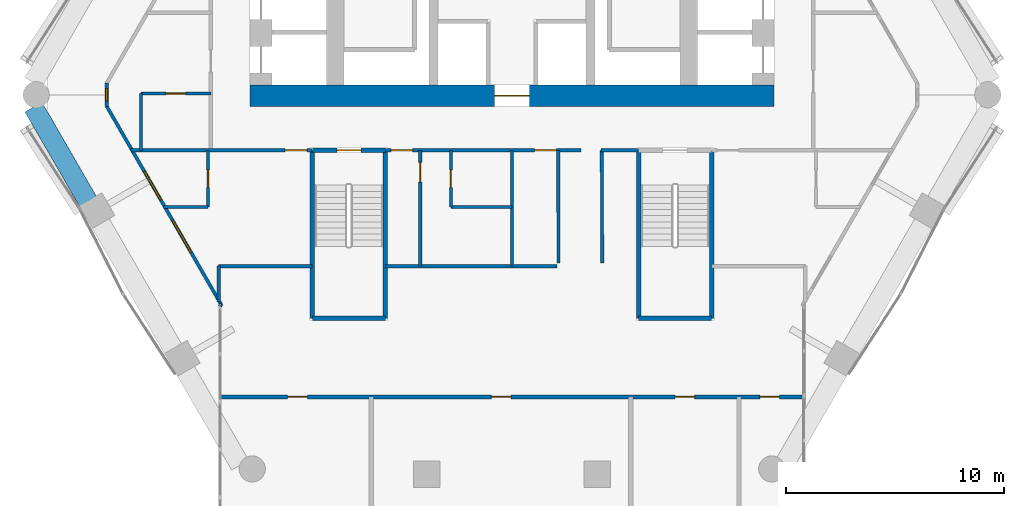
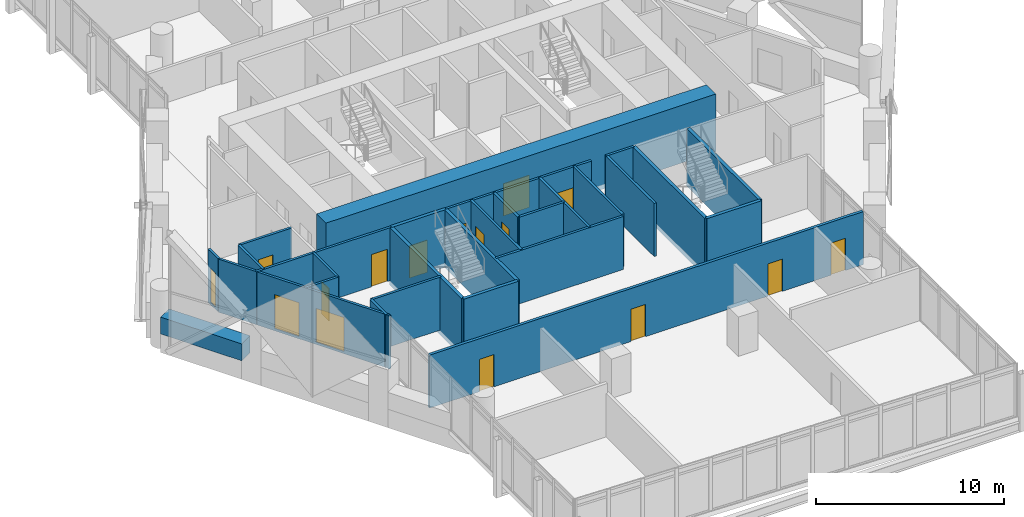
# One storey, part 27 of 36: 29 walls, 13 doors, 3 windows, 16 openings.
"""IFC4 building model written with IfcOpenShell, lengths in metres."""

from ifc_helpers import new_model, si_unit, direction, frame, frame_2d, origin, place, context, subcontext, project, spatial, rectangle, extrude, material, layer, layer_set, type_object, element, fill, save


model = new_model("IFC4")

# Units and contexts
model_context = context("Model", 3, precision=1e-05, world=origin(), true_north=direction((0.0, 1.0)))
body_context = subcontext(model_context, "Body", "Model", "MODEL_VIEW")
ifc_project = project(units=[si_unit("LENGTHUNIT", "METRE"), si_unit("AREAUNIT", "SQUARE_METRE"), si_unit("VOLUMEUNIT", "CUBIC_METRE"), si_unit("PLANEANGLEUNIT", "RADIAN"), si_unit("MASSUNIT", "GRAM", prefix="KILO")], contexts=[model_context])

# Site, building, storey
site_placement = place(None, origin())
site = spatial("IfcSite", under=ifc_project, at=site_placement, CompositionType="ELEMENT")
building_placement = place(site_placement, origin())
building = spatial("IfcBuilding", under=site, at=building_placement, Name="Ostrander Bayou Hotel Tower", CompositionType="ELEMENT")
storey_placement = place(building_placement, frame((0.0, 0.0, 138.5)))
storey = spatial("IfcBuildingStorey", under=building, at=storey_placement, Name="L34", CompositionType="ELEMENT", Elevation=138.5)

# Wall, opening, door
ifc_material_1 = material(Name="Concrete f'c 70 MPa", Category="concrete")
ifc_layer_1 = layer(ifc_material_1, 1.0)
ifc_layer_set_1 = layer_set([ifc_layer_1], Name="CW4 core wall 1000 mm f'c 70 MPa")
wall_type_1 = type_object("IfcWallType", Name="CW4 core wall 1000 mm f'c 70 MPa", PredefinedType="SHEAR", material=ifc_layer_set_1)
wall_1_placement = place(storey_placement, frame((-12.0, -1.199951171875, -0.300048828125), z_axis=(0.0, 0.0, 1.0), x_axis=(1.0, 0.0, 0.0)))
wall_1 = element("IfcWall", 1, at=wall_1_placement, inside=storey, type_object=wall_type_1, Name="CW4 L34 S", PredefinedType="SHEAR", context=body_context, shape_type="SweptSolid", body=[
    extrude(rectangle(XDim=24.0, YDim=1.0, at=frame_2d((12.0, 0.0))), origin(), (0.0, 0.0, 1.0), 3.75),
])
opening_1_placement = place(wall_1_placement, frame((11.199951171875, 0.0, 0.0)))
opening_1 = element("IfcOpeningElement", 2, at=opening_1_placement, cuts=wall_1, Name="Opening T34-001", PredefinedType="OPENING", context=body_context, shape_type="SweptSolid", body=[
    extrude(rectangle(XDim=1.60009765625, YDim=2.10009765625, at=frame_2d((0.800048828125, 1.050048828125))), frame((0.0, 0.5, 0.0), z_axis=(0.0, -1.0, 0.0), x_axis=(1.0, 0.0, 0.0)), (0.0, 0.0, 1.0), 1.0),
])
ifc_material_2 = material(Name="Timber door leaf", Category="wood")
door_type_1 = type_object("IfcDoorType", Name="D13 double door 1600 x 2100 mm, 1 hour", OperationType="SINGLE_SWING_LEFT", PredefinedType="DOOR", material=ifc_material_2)
door_1_placement = place(opening_1_placement, origin())
door_1 = element("IfcDoor", 3, at=door_1_placement, inside=storey, type_object=door_type_1, Name="dr:L34:001", OperationType="DOUBLE_DOOR_SINGLE_SWING", OverallHeight=2.10009765625, OverallWidth=1.60009765625, PredefinedType="DOOR", context=body_context, shape_type="SweptSolid", body=[
    extrude(rectangle(XDim=1.60009765625, YDim=2.10009765625, at=frame_2d((0.800048828125, 1.050048828125))), frame((0.0, 0.02490234375, 0.0), z_axis=(0.0, -1.0, 0.0), x_axis=(1.0, 0.0, 0.0)), (0.0, 0.0, 1.0), 0.050048828125),
])
fill(opening_1, door_1)

# Wall, openings, windows
ifc_material_3 = material(Name="Aluminium framed insulated wall", Category="aluminium")
ifc_layer_2 = layer(ifc_material_3, 0.14990234375)
ifc_layer_set_2 = layer_set([ifc_layer_2], Name="GW1 glass-line wall 150 mm")
wall_type_2 = type_object("IfcWallType", Name="GW1 glass-line wall 150 mm", PredefinedType="SOLIDWALL", material=ifc_layer_set_2)
wall_2_placement = place(storey_placement, frame((-18.568115234375, -1.68896484375, 0.0), z_axis=(0.0, 0.0, 1.0), x_axis=(0.499994317138, -0.866028684761, 0.0)))
wall_2 = element("IfcWall", 4, at=wall_2_placement, inside=storey, type_object=wall_type_2, Name="GW1 L34 SW 1", PredefinedType="SOLIDWALL", context=body_context, shape_type="SweptSolid", body=[
    extrude(rectangle(XDim=10.46826171875, YDim=0.14990234375, at=frame_2d((5.234130859375, 0.0))), origin(), (0.0, 0.0, 1.0), 3.449951171875),
])
opening_2_placement = place(wall_2_placement, frame((3.448486328125, 0.0, 0.14990234375)))
opening_2 = element("IfcOpeningElement", 5, at=opening_2_placement, cuts=wall_2, Name="Opening W12", PredefinedType="OPENING", context=body_context, shape_type="SweptSolid", body=[
    extrude(rectangle(XDim=1.5, YDim=2.199951171875, at=frame_2d((0.75, 1.10009765625))), frame((0.0, 0.074951171875, 0.0), z_axis=(0.0, -1.0, 0.0), x_axis=(1.0, 0.0, 0.0)), (0.0, 0.0, 1.0), 0.14990234375),
])
opening_3_placement = place(wall_2_placement, frame((6.021484375, 0.0, 0.14990234375)))
opening_3 = element("IfcOpeningElement", 6, at=opening_3_placement, cuts=wall_2, Name="Opening W8", PredefinedType="OPENING", context=body_context, shape_type="SweptSolid", body=[
    extrude(rectangle(XDim=1.699951171875, YDim=2.199951171875, at=frame_2d((0.85009765625, 1.10009765625))), frame((0.0, 0.074951171875, 0.0), z_axis=(0.0, -1.0, 0.0), x_axis=(1.0, 0.0, 0.0)), (0.0, 0.0, 1.0), 0.14990234375),
])
ifc_material_4 = material(Name="Aluminium and clear glass", Category="aluminium")
window_type_1 = type_object("IfcWindowType", Name="W12 fixed window 1500 mm, bath bay, zone 2", PartitioningType="SINGLE_PANEL", PredefinedType="WINDOW", material=ifc_material_4)
window_1_placement = place(opening_2_placement, origin())
window_1 = element("IfcWindow", 7, at=window_1_placement, inside=storey, type_object=window_type_1, Name="W12 L34 SW 1", OverallHeight=2.199951171875, OverallWidth=1.5, PartitioningType="SINGLE_PANEL", PredefinedType="WINDOW", context=body_context, shape_type="SweptSolid", body=[
    extrude(rectangle(XDim=1.5, YDim=2.199951171875, at=frame_2d((0.75, 1.10009765625))), frame((0.0, 0.030029296875, 0.0), z_axis=(0.0, -1.0, 0.0), x_axis=(1.0, 0.0, 0.0)), (0.0, 0.0, 1.0), 0.06005859375),
])
fill(opening_2, window_1)
ifc_material_5 = material(Name="Aluminium and clear glass", Category="aluminium")
window_type_2 = type_object("IfcWindowType", Name="W8 fixed window 1700 mm, bar storeys, zone 2", PartitioningType="SINGLE_PANEL", PredefinedType="WINDOW", material=ifc_material_5)
window_2_placement = place(opening_3_placement, origin())
window_2 = element("IfcWindow", 8, at=window_2_placement, inside=storey, type_object=window_type_2, Name="W8 L34 SW 2", OverallHeight=2.199951171875, OverallWidth=1.699951171875, PartitioningType="SINGLE_PANEL", PredefinedType="WINDOW", context=body_context, shape_type="SweptSolid", body=[
    extrude(rectangle(XDim=1.699951171875, YDim=2.199951171875, at=frame_2d((0.85009765625, 1.10009765625))), frame((0.0, 0.030029296875, 0.0), z_axis=(0.0, -1.0, 0.0), x_axis=(1.0, 0.0, 0.0)), (0.0, 0.0, 1.0), 0.06005859375),
])
fill(opening_3, window_2)

# Wall, opening, window
wall_3_placement = place(storey_placement, frame((-18.568115234375, -0.6240234375, 0.0), z_axis=(0.0, 0.0, 1.0), x_axis=(0.0, -1.0, 0.0)))
wall_3 = element("IfcWall", 9, at=wall_3_placement, inside=storey, type_object=wall_type_2, Name="GW1 L34 corner 2", PredefinedType="SOLIDWALL", context=body_context, shape_type="SweptSolid", body=[
    extrude(rectangle(XDim=1.06494140625, YDim=0.14990234375, at=frame_2d((0.532470703125, 0.0))), origin(), (0.0, 0.0, 1.0), 3.449951171875),
])
opening_4_placement = place(wall_3_placement, frame((0.257568359375, 0.0, 0.14990234375)))
opening_4 = element("IfcOpeningElement", 10, at=opening_4_placement, cuts=wall_3, Name="Opening W19", PredefinedType="OPENING", context=body_context, shape_type="SweptSolid", body=[
    extrude(rectangle(XDim=0.550048828125, YDim=2.199951171875, at=frame_2d((0.27490234375, 1.10009765625))), frame((0.0, 0.074951171875, 0.0), z_axis=(0.0, -1.0, 0.0), x_axis=(1.0, 0.0, 0.0)), (0.0, 0.0, 1.0), 0.14990234375),
])
ifc_material_6 = material(Name="Aluminium and clear glass", Category="aluminium")
window_type_3 = type_object("IfcWindowType", Name="W19 corner window 550 mm", PartitioningType="SINGLE_PANEL", PredefinedType="WINDOW", material=ifc_material_6)
window_3_placement = place(opening_4_placement, origin())
window_3 = element("IfcWindow", 11, at=window_3_placement, inside=storey, type_object=window_type_3, Name="W19 L34 corner 2", OverallHeight=2.199951171875, OverallWidth=0.550048828125, PartitioningType="SINGLE_PANEL", PredefinedType="WINDOW", context=body_context, shape_type="SweptSolid", body=[
    extrude(rectangle(XDim=0.550048828125, YDim=2.199951171875, at=frame_2d((0.27490234375, 1.10009765625))), frame((0.0, 0.030029296875, 0.0), z_axis=(0.0, -1.0, 0.0), x_axis=(1.0, 0.0, 0.0)), (0.0, 0.0, 1.0), 0.06005859375),
])
fill(opening_4, window_3)

# Walls
wall_4_placement = place(storey_placement, frame((-13.333984375, -10.7548828125, 0.0), z_axis=(0.0, 0.0, 1.0), x_axis=(-0.337751931921, -0.941235163221, 0.0)))
element("IfcWall", 12, at=wall_4_placement, inside=storey, type_object=wall_type_2, Name="GW1 L34 bar joint 1", PredefinedType="SOLIDWALL", context=body_context, shape_type="SweptSolid", body=[
    extrude(rectangle(XDim=0.098388671875, YDim=0.14990234375, at=frame_2d((0.04931640625, 0.0))), origin(), (0.0, 0.0, 1.0), 3.449951171875),
])
ifc_material_7 = material(Name="Limestone masonry", Category="masonry")
ifc_layer_3 = layer(ifc_material_7, 0.89990234375)
ifc_layer_set_3 = layer_set([ifc_layer_3], Name="PA2 limestone parapet 900 mm")
wall_type_3 = type_object("IfcWallType", Name="PA2 limestone parapet 900 mm", PredefinedType="PARAPET", material=ifc_layer_set_3)
wall_5_placement = place(storey_placement, frame((-21.927734375, -1.72021484375, 0.0), z_axis=(0.0, 0.0, 1.0), x_axis=(0.500011423449, -0.866018808352, 0.0)))
element("IfcWall", 13, at=wall_5_placement, inside=storey, type_object=wall_type_3, Name="PA2 L34 SW-1", PredefinedType="PARAPET", context=body_context, shape_type="SweptSolid", body=[
    extrude(rectangle(XDim=4.99755859375, YDim=0.89990234375, at=frame_2d((2.498779296875, 0.0))), origin(), (0.0, 0.0, 1.0), 1.10009765625),
])

# Wall, openings, doors
ifc_material_8 = material(Name="Gypsum board partition", Category="finish")
ifc_layer_4 = layer(ifc_material_8, 0.175048828125)
ifc_layer_set_4 = layer_set([ifc_layer_4], Name="PT4 corridor wall 175 mm, 1 hour")
wall_type_4 = type_object("IfcWallType", Name="PT4 corridor wall 175 mm, 1 hour", PredefinedType="PARTITIONING", material=ifc_layer_set_4)
wall_6_placement = place(storey_placement, frame((-13.34814453125, -15.0, 0.0), z_axis=(0.0, 0.0, 1.0), x_axis=(1.0, 0.0, 0.0)))
wall_6 = element("IfcWall", 14, at=wall_6_placement, inside=storey, type_object=wall_type_4, Name="sw:L34:500", PredefinedType="PARTITIONING", context=body_context, shape_type="SweptSolid", body=[
    extrude(rectangle(XDim=26.6962890625, YDim=0.175048828125, at=frame_2d((13.34814453125, 0.0))), origin(), (0.0, 0.0, 1.0), 3.449951171875),
])
opening_5_placement = place(wall_6_placement, frame((3.071044921875, 0.0, 0.0)))
opening_5 = element("IfcOpeningElement", 15, at=opening_5_placement, cuts=wall_6, Name="Opening T34-1200", PredefinedType="OPENING", context=body_context, shape_type="SweptSolid", body=[
    extrude(rectangle(XDim=0.89990234375, YDim=2.10009765625, at=frame_2d((0.449951171875, 1.050048828125))), frame((0.0, 0.08740234375, 0.0), z_axis=(0.0, -1.0, 0.0), x_axis=(1.0, 0.0, 0.0)), (0.0, 0.0, 1.0), 0.175048828125),
])
opening_6_placement = place(wall_6_placement, frame((20.8203125, 0.0, 0.0)))
opening_6 = element("IfcOpeningElement", 16, at=opening_6_placement, cuts=wall_6, Name="Opening T34-1203", PredefinedType="OPENING", context=body_context, shape_type="SweptSolid", body=[
    extrude(rectangle(XDim=0.89990234375, YDim=2.10009765625, at=frame_2d((0.449951171875, 1.050048828125))), frame((0.0, 0.08740234375, 0.0), z_axis=(0.0, -1.0, 0.0), x_axis=(1.0, 0.0, 0.0)), (0.0, 0.0, 1.0), 0.175048828125),
])
opening_7_placement = place(wall_6_placement, frame((24.705322265625, 0.0, 0.0)))
opening_7 = element("IfcOpeningElement", 17, at=opening_7_placement, cuts=wall_6, Name="Opening T34-1204", PredefinedType="OPENING", context=body_context, shape_type="SweptSolid", body=[
    extrude(rectangle(XDim=0.89990234375, YDim=2.10009765625, at=frame_2d((0.449951171875, 1.050048828125))), frame((0.0, 0.08740234375, 0.0), z_axis=(0.0, -1.0, 0.0), x_axis=(1.0, 0.0, 0.0)), (0.0, 0.0, 1.0), 0.175048828125),
])
opening_8_placement = place(wall_6_placement, frame((12.398193359375, 0.0, 0.0)))
opening_8 = element("IfcOpeningElement", 18, at=opening_8_placement, cuts=wall_6, Name="Opening T34-1205", PredefinedType="OPENING", context=body_context, shape_type="SweptSolid", body=[
    extrude(rectangle(XDim=0.89990234375, YDim=2.10009765625, at=frame_2d((0.449951171875, 1.050048828125))), frame((0.0, 0.08740234375, 0.0), z_axis=(0.0, -1.0, 0.0), x_axis=(1.0, 0.0, 0.0)), (0.0, 0.0, 1.0), 0.175048828125),
])
ifc_material_9 = material(Name="Timber door leaf", Category="wood")
door_type_2 = type_object("IfcDoorType", Name="D8 room door 900 x 2100 mm", OperationType="SINGLE_SWING_LEFT", PredefinedType="DOOR", material=ifc_material_9)
door_2_placement = place(opening_5_placement, origin())
door_2 = element("IfcDoor", 19, at=door_2_placement, inside=storey, type_object=door_type_2, Name="dr:L34:1200", OperationType="SINGLE_SWING_RIGHT", OverallHeight=2.10009765625, OverallWidth=0.89990234375, PredefinedType="DOOR", context=body_context, shape_type="SweptSolid", body=[
    extrude(rectangle(XDim=0.89990234375, YDim=2.10009765625, at=frame_2d((0.449951171875, 1.050048828125))), frame((0.0, 0.02490234375, 0.0), z_axis=(0.0, -1.0, 0.0), x_axis=(1.0, 0.0, 0.0)), (0.0, 0.0, 1.0), 0.050048828125),
])
fill(opening_5, door_2)
door_3_placement = place(opening_6_placement, origin())
door_3 = element("IfcDoor", 20, at=door_3_placement, inside=storey, type_object=door_type_2, Name="dr:L34:1203", OperationType="SINGLE_SWING_LEFT", OverallHeight=2.10009765625, OverallWidth=0.89990234375, PredefinedType="DOOR", context=body_context, shape_type="SweptSolid", body=[
    extrude(rectangle(XDim=0.89990234375, YDim=2.10009765625, at=frame_2d((0.449951171875, 1.050048828125))), frame((0.0, 0.02490234375, 0.0), z_axis=(0.0, -1.0, 0.0), x_axis=(1.0, 0.0, 0.0)), (0.0, 0.0, 1.0), 0.050048828125),
])
fill(opening_6, door_3)
door_4_placement = place(opening_7_placement, origin())
door_4 = element("IfcDoor", 21, at=door_4_placement, inside=storey, type_object=door_type_2, Name="dr:L34:1204", OperationType="SINGLE_SWING_RIGHT", OverallHeight=2.10009765625, OverallWidth=0.89990234375, PredefinedType="DOOR", context=body_context, shape_type="SweptSolid", body=[
    extrude(rectangle(XDim=0.89990234375, YDim=2.10009765625, at=frame_2d((0.449951171875, 1.050048828125))), frame((0.0, 0.02490234375, 0.0), z_axis=(0.0, -1.0, 0.0), x_axis=(1.0, 0.0, 0.0)), (0.0, 0.0, 1.0), 0.050048828125),
])
fill(opening_7, door_4)
door_5_placement = place(opening_8_placement, origin())
door_5 = element("IfcDoor", 22, at=door_5_placement, inside=storey, type_object=door_type_2, Name="dr:L34:1205", OperationType="SINGLE_SWING_LEFT", OverallHeight=2.10009765625, OverallWidth=0.89990234375, PredefinedType="DOOR", context=body_context, shape_type="SweptSolid", body=[
    extrude(rectangle(XDim=0.89990234375, YDim=2.10009765625, at=frame_2d((0.449951171875, 1.050048828125))), frame((0.0, 0.02490234375, 0.0), z_axis=(0.0, -1.0, 0.0), x_axis=(1.0, 0.0, 0.0)), (0.0, 0.0, 1.0), 0.050048828125),
])
fill(opening_8, door_5)

# Walls
ifc_material_10 = material(Name="Gypsum board partition", Category="finish")
ifc_layer_5 = layer(ifc_material_10, 0.14990234375)
ifc_layer_set_5 = layer_set([ifc_layer_5], Name="PT8 service band wall 150 mm, 1 hour")
wall_type_5 = type_object("IfcWallType", Name="PT8 service band wall 150 mm, 1 hour", PredefinedType="PARTITIONING", material=ifc_layer_set_5)
wall_7_placement = place(storey_placement, frame((-13.43994140625, -9.010009765625, 0.0), z_axis=(0.0, 0.0, 1.0), x_axis=(1.0, 0.0, 0.0)))
element("IfcWall", 23, at=wall_7_placement, inside=storey, type_object=wall_type_5, Name="gw:L34:001", PredefinedType="PARTITIONING", context=body_context, shape_type="SweptSolid", body=[
    extrude(rectangle(XDim=4.280029296875, YDim=0.14990234375, at=frame_2d((2.14013671875, 0.0))), origin(), (0.0, 0.0, 1.0), 3.449951171875),
])
wall_8_placement = place(storey_placement, frame((-5.7900390625, -9.010009765625, 0.0), z_axis=(0.0, 0.0, 1.0), x_axis=(1.0, 0.0, 0.0)))
element("IfcWall", 24, at=wall_8_placement, inside=storey, type_object=wall_type_5, Name="gw:L34:002", PredefinedType="PARTITIONING", context=body_context, shape_type="SweptSolid", body=[
    extrude(rectangle(XDim=7.844970703125, YDim=0.14990234375, at=frame_2d((3.92236328125, 0.0))), origin(), (0.0, 0.0, 1.0), 3.449951171875),
])
wall_9_placement = place(storey_placement, frame((-15.9580078125, -6.300048828125, 0.0), z_axis=(0.0, 0.0, 1.0), x_axis=(1.0, 0.0, 0.0)))
element("IfcWall", 25, at=wall_9_placement, inside=storey, type_object=wall_type_5, Name="gw:L34:004", PredefinedType="PARTITIONING", context=body_context, shape_type="SweptSolid", body=[
    extrude(rectangle(XDim=2.028076171875, YDim=0.14990234375, at=frame_2d((1.01416015625, 0.0))), origin(), (0.0, 0.0, 1.0), 3.449951171875),
])
wall_10_placement = place(storey_placement, frame((-2.800048828125, -6.300048828125, 0.0), z_axis=(0.0, 0.0, 1.0), x_axis=(1.0, 0.0, 0.0)))
element("IfcWall", 26, at=wall_10_placement, inside=storey, type_object=wall_type_5, Name="gw:L34:005", PredefinedType="PARTITIONING", context=body_context, shape_type="SweptSolid", body=[
    extrude(rectangle(XDim=2.800048828125, YDim=0.14990234375, at=frame_2d((1.39990234375, 0.0))), origin(), (0.0, 0.0, 1.0), 3.449951171875),
])

# Wall, opening, door
wall_11_placement = place(storey_placement, frame((-17.458984375, -3.699951171875, 0.0), z_axis=(0.0, 0.0, 1.0), x_axis=(1.0, 0.0, 0.0)))
wall_11 = element("IfcWall", 27, at=wall_11_placement, inside=storey, type_object=wall_type_5, Name="gw:L34:007", PredefinedType="PARTITIONING", context=body_context, shape_type="SweptSolid", body=[
    extrude(rectangle(XDim=8.299072265625, YDim=0.14990234375, at=frame_2d((4.1494140625, 0.0))), origin(), (0.0, 0.0, 1.0), 3.449951171875),
])
opening_9_placement = place(wall_11_placement, frame((7.05908203125, 0.0, 0.0)))
opening_9 = element("IfcOpeningElement", 28, at=opening_9_placement, cuts=wall_11, Name="Opening T34-403", PredefinedType="OPENING", context=body_context, shape_type="SweptSolid", body=[
    extrude(rectangle(XDim=1.0, YDim=2.10009765625, at=frame_2d((0.5, 1.050048828125))), frame((0.0, 0.074951171875, 0.0), z_axis=(0.0, -1.0, 0.0), x_axis=(1.0, 0.0, 0.0)), (0.0, 0.0, 1.0), 0.14990234375),
])
ifc_material_11 = material(Name="Timber door leaf", Category="wood")
door_type_3 = type_object("IfcDoorType", Name="D1 guest room door 1000 x 2100 mm, 30 minute", OperationType="SINGLE_SWING_LEFT", PredefinedType="DOOR", material=ifc_material_11)
door_6_placement = place(opening_9_placement, origin())
door_6 = element("IfcDoor", 29, at=door_6_placement, inside=storey, type_object=door_type_3, Name="dr:L34:403", OperationType="SINGLE_SWING_RIGHT", OverallHeight=2.10009765625, OverallWidth=1.0, PredefinedType="DOOR", context=body_context, shape_type="SweptSolid", body=[
    extrude(rectangle(XDim=1.0, YDim=2.10009765625, at=frame_2d((0.5, 1.050048828125))), frame((0.0, 0.02490234375, 0.0), z_axis=(0.0, -1.0, 0.0), x_axis=(1.0, 0.0, 0.0)), (0.0, 0.0, 1.0), 0.050048828125),
])
fill(opening_9, door_6)

# Wall, openings, doors
wall_12_placement = place(storey_placement, frame((-5.7900390625, -3.699951171875, 0.0), z_axis=(0.0, 0.0, 1.0), x_axis=(1.0, 0.0, 0.0)))
wall_12 = element("IfcWall", 30, at=wall_12_placement, inside=storey, type_object=wall_type_5, Name="gw:L34:008", PredefinedType="PARTITIONING", context=body_context, shape_type="SweptSolid", body=[
    extrude(rectangle(XDim=8.945068359375, YDim=0.14990234375, at=frame_2d((4.47265625, 0.0))), origin(), (0.0, 0.0, 1.0), 3.449951171875),
])
opening_10_placement = place(wall_12_placement, frame((0.239990234375, 0.0, 0.0)))
opening_10 = element("IfcOpeningElement", 31, at=opening_10_placement, cuts=wall_12, Name="Opening T34-400", PredefinedType="OPENING", context=body_context, shape_type="SweptSolid", body=[
    extrude(rectangle(XDim=1.0, YDim=2.10009765625, at=frame_2d((0.5, 1.050048828125))), frame((0.0, 0.074951171875, 0.0), z_axis=(0.0, -1.0, 0.0), x_axis=(1.0, 0.0, 0.0)), (0.0, 0.0, 1.0), 0.14990234375),
])
opening_11_placement = place(wall_12_placement, frame((6.826904296875, 0.0, 0.0)))
opening_11 = element("IfcOpeningElement", 32, at=opening_11_placement, cuts=wall_12, Name="Opening T34-405", PredefinedType="OPENING", context=body_context, shape_type="SweptSolid", body=[
    extrude(rectangle(XDim=1.0, YDim=2.10009765625, at=frame_2d((0.5, 1.050048828125))), frame((0.0, 0.074951171875, 0.0), z_axis=(0.0, -1.0, 0.0), x_axis=(1.0, 0.0, 0.0)), (0.0, 0.0, 1.0), 0.14990234375),
])
door_7_placement = place(opening_10_placement, origin())
door_7 = element("IfcDoor", 33, at=door_7_placement, inside=storey, type_object=door_type_3, Name="dr:L34:400", OperationType="SINGLE_SWING_LEFT", OverallHeight=2.10009765625, OverallWidth=1.0, PredefinedType="DOOR", context=body_context, shape_type="SweptSolid", body=[
    extrude(rectangle(XDim=1.0, YDim=2.10009765625, at=frame_2d((0.5, 1.050048828125))), frame((0.0, 0.02490234375, 0.0), z_axis=(0.0, -1.0, 0.0), x_axis=(1.0, 0.0, 0.0)), (0.0, 0.0, 1.0), 0.050048828125),
])
fill(opening_10, door_7)
ifc_material_12 = material(Name="Timber door leaf", Category="wood")
door_type_4 = type_object("IfcDoorType", Name="D9 service door 1000 x 2100 mm, 30 minute", OperationType="SINGLE_SWING_LEFT", PredefinedType="DOOR", material=ifc_material_12)
door_8_placement = place(opening_11_placement, origin())
door_8 = element("IfcDoor", 34, at=door_8_placement, inside=storey, type_object=door_type_4, Name="dr:L34:405", OperationType="SINGLE_SWING_LEFT", OverallHeight=2.10009765625, OverallWidth=1.0, PredefinedType="DOOR", context=body_context, shape_type="SweptSolid", body=[
    extrude(rectangle(XDim=1.0, YDim=2.10009765625, at=frame_2d((0.5, 1.050048828125))), frame((0.0, 0.02490234375, 0.0), z_axis=(0.0, -1.0, 0.0), x_axis=(1.0, 0.0, 0.0)), (0.0, 0.0, 1.0), 0.050048828125),
])
fill(opening_11, door_8)

# Wall
wall_13_placement = place(storey_placement, frame((4.074951171875, -3.699951171875, 0.0), z_axis=(0.0, 0.0, 1.0), x_axis=(1.0, 0.0, 0.0)))
element("IfcWall", 35, at=wall_13_placement, inside=storey, type_object=wall_type_5, Name="gw:L34:009", PredefinedType="PARTITIONING", context=body_context, shape_type="SweptSolid", body=[
    extrude(rectangle(XDim=1.715087890625, YDim=0.14990234375, at=frame_2d((0.857421875, 0.0))), origin(), (0.0, 0.0, 1.0), 3.449951171875),
])

# Wall, opening, door
wall_14_placement = place(storey_placement, frame((-17.0, -1.10009765625, 0.0), z_axis=(0.0, 0.0, 1.0), x_axis=(1.0, 0.0, 0.0)))
wall_14 = element("IfcWall", 36, at=wall_14_placement, inside=storey, type_object=wall_type_5, Name="gw:L34:011", PredefinedType="PARTITIONING", context=body_context, shape_type="SweptSolid", body=[
    extrude(rectangle(XDim=3.199951171875, YDim=0.14990234375, at=frame_2d((1.60009765625, 0.0))), origin(), (0.0, 0.0, 1.0), 3.449951171875),
])
opening_12_placement = place(wall_14_placement, frame((1.14990234375, 0.0, 0.0)))
opening_12 = element("IfcOpeningElement", 37, at=opening_12_placement, cuts=wall_14, Name="Opening T34-409", PredefinedType="OPENING", context=body_context, shape_type="SweptSolid", body=[
    extrude(rectangle(XDim=0.89990234375, YDim=2.10009765625, at=frame_2d((0.449951171875, 1.050048828125))), frame((0.0, 0.074951171875, 0.0), z_axis=(0.0, -1.0, 0.0), x_axis=(1.0, 0.0, 0.0)), (0.0, 0.0, 1.0), 0.14990234375),
])
door_9_placement = place(opening_12_placement, origin())
door_9 = element("IfcDoor", 38, at=door_9_placement, inside=storey, type_object=door_type_2, Name="dr:L34:409", OperationType="SINGLE_SWING_RIGHT", OverallHeight=2.10009765625, OverallWidth=0.89990234375, PredefinedType="DOOR", context=body_context, shape_type="SweptSolid", body=[
    extrude(rectangle(XDim=0.89990234375, YDim=2.10009765625, at=frame_2d((0.449951171875, 1.050048828125))), frame((0.0, 0.02490234375, 0.0), z_axis=(0.0, -1.0, 0.0), x_axis=(1.0, 0.0, 0.0)), (0.0, 0.0, 1.0), 0.050048828125),
])
fill(opening_12, door_9)

# Wall
wall_15_placement = place(storey_placement, frame((0.0, -9.010009765625, 0.0), z_axis=(0.0, 0.0, 1.0), x_axis=(0.0, 1.0, 0.0)))
element("IfcWall", 39, at=wall_15_placement, inside=storey, type_object=wall_type_5, Name="gw:L34:020", PredefinedType="PARTITIONING", context=body_context, shape_type="SweptSolid", body=[
    extrude(rectangle(XDim=5.31005859375, YDim=0.14990234375, at=frame_2d((2.655029296875, 0.0))), origin(), (0.0, 0.0, 1.0), 3.449951171875),
])

# Wall, opening, door
wall_16_placement = place(storey_placement, frame((-2.800048828125, -6.300048828125, 0.0), z_axis=(0.0, 0.0, 1.0), x_axis=(0.0, 1.0, 0.0)))
wall_16 = element("IfcWall", 40, at=wall_16_placement, inside=storey, type_object=wall_type_5, Name="gw:L34:021", PredefinedType="PARTITIONING", context=body_context, shape_type="SweptSolid", body=[
    extrude(rectangle(XDim=2.60009765625, YDim=0.14990234375, at=frame_2d((1.300048828125, 0.0))), origin(), (0.0, 0.0, 1.0), 3.449951171875),
])
opening_13_placement = place(wall_16_placement, frame((0.89990234375, 0.0, 0.0)))
opening_13 = element("IfcOpeningElement", 41, at=opening_13_placement, cuts=wall_16, Name="Opening T34-402", PredefinedType="OPENING", context=body_context, shape_type="SweptSolid", body=[
    extrude(rectangle(XDim=0.800048828125, YDim=2.10009765625, at=frame_2d((0.39990234375, 1.050048828125))), frame((0.0, 0.074951171875, 0.0), z_axis=(0.0, -1.0, 0.0), x_axis=(1.0, 0.0, 0.0)), (0.0, 0.0, 1.0), 0.14990234375),
])
ifc_material_13 = material(Name="Timber door leaf", Category="wood")
door_type_5 = type_object("IfcDoorType", Name="D2 bathroom door 800 x 2100 mm", OperationType="SINGLE_SWING_LEFT", PredefinedType="DOOR", material=ifc_material_13)
door_10_placement = place(opening_13_placement, origin())
door_10 = element("IfcDoor", 42, at=door_10_placement, inside=storey, type_object=door_type_5, Name="dr:L34:402", OperationType="SINGLE_SWING_RIGHT", OverallHeight=2.10009765625, OverallWidth=0.800048828125, PredefinedType="DOOR", context=body_context, shape_type="SweptSolid", body=[
    extrude(rectangle(XDim=0.800048828125, YDim=2.10009765625, at=frame_2d((0.39990234375, 1.050048828125))), frame((0.0, 0.02490234375, 0.0), z_axis=(0.0, -1.0, 0.0), x_axis=(1.0, 0.0, 0.0)), (0.0, 0.0, 1.0), 0.050048828125),
])
fill(opening_13, door_10)

wall_17_placement = place(storey_placement, frame((-4.199951171875, -9.010009765625, 0.0), z_axis=(0.0, 0.0, 1.0), x_axis=(0.0, 1.0, 0.0)))
wall_17 = element("IfcWall", 43, at=wall_17_placement, inside=storey, type_object=wall_type_5, Name="gw:L34:022", PredefinedType="PARTITIONING", context=body_context, shape_type="SweptSolid", body=[
    extrude(rectangle(XDim=5.31005859375, YDim=0.14990234375, at=frame_2d((2.655029296875, 0.0))), origin(), (0.0, 0.0, 1.0), 3.449951171875),
])
opening_14_placement = place(wall_17_placement, frame((3.860107421875, 0.0, 0.0)))
opening_14 = element("IfcOpeningElement", 44, at=opening_14_placement, cuts=wall_17, Name="Opening T34-401", PredefinedType="OPENING", context=body_context, shape_type="SweptSolid", body=[
    extrude(rectangle(XDim=0.89990234375, YDim=2.10009765625, at=frame_2d((0.449951171875, 1.050048828125))), frame((0.0, 0.074951171875, 0.0), z_axis=(0.0, -1.0, 0.0), x_axis=(1.0, 0.0, 0.0)), (0.0, 0.0, 1.0), 0.14990234375),
])
door_11_placement = place(opening_14_placement, origin())
door_11 = element("IfcDoor", 45, at=door_11_placement, inside=storey, type_object=door_type_2, Name="dr:L34:401", OperationType="SINGLE_SWING_RIGHT", OverallHeight=2.10009765625, OverallWidth=0.89990234375, PredefinedType="DOOR", context=body_context, shape_type="SweptSolid", body=[
    extrude(rectangle(XDim=0.89990234375, YDim=2.10009765625, at=frame_2d((0.449951171875, 1.050048828125))), frame((0.0, 0.02490234375, 0.0), z_axis=(0.0, -1.0, 0.0), x_axis=(1.0, 0.0, 0.0)), (0.0, 0.0, 1.0), 0.050048828125),
])
fill(opening_14, door_11)

# Wall
wall_18_placement = place(storey_placement, frame((-13.43994140625, -10.660888671875, 0.0), z_axis=(0.0, 0.0, 1.0), x_axis=(0.0, 1.0, 0.0)))
element("IfcWall", 46, at=wall_18_placement, inside=storey, type_object=wall_type_5, Name="gw:L34:023", PredefinedType="PARTITIONING", context=body_context, shape_type="SweptSolid", body=[
    extrude(rectangle(XDim=1.65087890625, YDim=0.14990234375, at=frame_2d((0.825439453125, 0.0))), origin(), (0.0, 0.0, 1.0), 3.449951171875),
])

# Wall, opening, door
wall_19_placement = place(storey_placement, frame((-13.929931640625, -6.300048828125, 0.0), z_axis=(0.0, 0.0, 1.0), x_axis=(0.0, 1.0, 0.0)))
wall_19 = element("IfcWall", 47, at=wall_19_placement, inside=storey, type_object=wall_type_5, Name="gw:L34:026", PredefinedType="PARTITIONING", context=body_context, shape_type="SweptSolid", body=[
    extrude(rectangle(XDim=2.60009765625, YDim=0.14990234375, at=frame_2d((1.300048828125, 0.0))), origin(), (0.0, 0.0, 1.0), 3.449951171875),
])
opening_15_placement = place(wall_19_placement, frame((0.89990234375, 0.0, 0.0)))
opening_15 = element("IfcOpeningElement", 48, at=opening_15_placement, cuts=wall_19, Name="Opening T34-404", PredefinedType="OPENING", context=body_context, shape_type="SweptSolid", body=[
    extrude(rectangle(XDim=0.800048828125, YDim=2.10009765625, at=frame_2d((0.39990234375, 1.050048828125))), frame((0.0, 0.074951171875, 0.0), z_axis=(0.0, -1.0, 0.0), x_axis=(1.0, 0.0, 0.0)), (0.0, 0.0, 1.0), 0.14990234375),
])
door_12_placement = place(opening_15_placement, origin())
door_12 = element("IfcDoor", 49, at=door_12_placement, inside=storey, type_object=door_type_5, Name="dr:L34:404", OperationType="SINGLE_SWING_RIGHT", OverallHeight=2.10009765625, OverallWidth=0.800048828125, PredefinedType="DOOR", context=body_context, shape_type="SweptSolid", body=[
    extrude(rectangle(XDim=0.800048828125, YDim=2.10009765625, at=frame_2d((0.39990234375, 1.050048828125))), frame((0.0, 0.02490234375, 0.0), z_axis=(0.0, -1.0, 0.0), x_axis=(1.0, 0.0, 0.0)), (0.0, 0.0, 1.0), 0.050048828125),
])
fill(opening_15, door_12)

# Walls
wall_20_placement = place(storey_placement, frame((-17.0, -3.699951171875, 0.0), z_axis=(0.0, 0.0, 1.0), x_axis=(0.0, 1.0, 0.0)))
element("IfcWall", 50, at=wall_20_placement, inside=storey, type_object=wall_type_5, Name="gw:L34:027", PredefinedType="PARTITIONING", context=body_context, shape_type="SweptSolid", body=[
    extrude(rectangle(XDim=2.599853515625, YDim=0.14990234375, at=frame_2d((1.2998046875, 0.0))), origin(), (0.0, 0.0, 1.0), 3.449951171875),
])
wall_21_placement = place(storey_placement, frame((4.134033203125, -8.8701171875, 0.0), z_axis=(0.0, 0.0, 1.0), x_axis=(-0.003683216269, 0.999993216936, 0.0)))
element("IfcWall", 51, at=wall_21_placement, inside=storey, type_object=wall_type_5, Name="gw:L34:028", PredefinedType="PARTITIONING", context=body_context, shape_type="SweptSolid", body=[
    extrude(rectangle(XDim=5.170166015625, YDim=0.14990234375, at=frame_2d((2.5849609375, 0.0))), origin(), (0.0, 0.0, 1.0), 3.449951171875),
])
wall_22_placement = place(storey_placement, frame((2.134033203125, -8.8701171875, 0.0), z_axis=(0.0, 0.0, 1.0), x_axis=(-0.003686872276, 0.999993203463, 0.0)))
element("IfcWall", 52, at=wall_22_placement, inside=storey, type_object=wall_type_5, Name="gw:L34:029", PredefinedType="PARTITIONING", context=body_context, shape_type="SweptSolid", body=[
    extrude(rectangle(XDim=5.1650390625, YDim=0.14990234375, at=frame_2d((2.58251953125, 0.0))), origin(), (0.0, 0.0, 1.0), 3.449951171875),
])
ifc_material_14 = material(Name="Concrete f'c 45 MPa", Category="concrete")
ifc_layer_6 = layer(ifc_material_14, 0.199951171875)
ifc_layer_set_6 = layer_set([ifc_layer_6], Name="SW5 stair enclosure wall 200 mm f'c 45 MPa")
wall_type_6 = type_object("IfcWallType", Name="SW5 stair enclosure wall 200 mm f'c 45 MPa", PredefinedType="SOLIDWALL", material=ifc_layer_set_6)
for number, where, z_axis, x_axis, name in (
    (53, (5.800048828125, -3.699951171875, -0.300048828125), (0.0, 0.0, 1.0), (0.0, -1.0, 0.0), "cs:L34:014"),
    (54, (9.14990234375, -3.699951171875, -0.300048828125), (0.0, 0.0, 1.0), (0.0, -1.0, 0.0), "cs:L34:015"),
):
    element("IfcWall", number, at=place(storey_placement, frame(where, z_axis=z_axis, x_axis=x_axis)), inside=storey, type_object=wall_type_6, Name=name, PredefinedType="SOLIDWALL", context=body_context, shape_type="SweptSolid", body=[
        extrude(rectangle(XDim=7.699951171875, YDim=0.199951171875, at=frame_2d((3.85009765625, 0.0))), origin(), (0.0, 0.0, 1.0), 3.75),
    ])
wall_23_placement = place(storey_placement, frame((5.800048828125, -11.39990234375, -0.300048828125), z_axis=(0.0, 0.0, 1.0), x_axis=(1.0, 0.0, 0.0)))
element("IfcWall", 55, at=wall_23_placement, inside=storey, type_object=wall_type_6, Name="cs:L34:016", PredefinedType="SOLIDWALL", context=body_context, shape_type="SweptSolid", body=[
    extrude(rectangle(XDim=3.349853515625, YDim=0.199951171875, at=frame_2d((1.6748046875, 0.0))), origin(), (0.0, 0.0, 1.0), 3.75),
])

# Wall, opening, door
wall_24_placement = place(storey_placement, frame((-9.14990234375, -3.699951171875, -0.300048828125), z_axis=(0.0, 0.0, 1.0), x_axis=(1.0, 0.0, 0.0)))
wall_24 = element("IfcWall", 56, at=wall_24_placement, inside=storey, type_object=wall_type_6, Name="cs:L34:017", PredefinedType="SOLIDWALL", context=body_context, shape_type="SweptSolid", body=[
    extrude(rectangle(XDim=3.349853515625, YDim=0.199951171875, at=frame_2d((1.6748046875, 0.0))), origin(), (0.0, 0.0, 1.0), 3.75),
])
opening_16_placement = place(wall_24_placement, frame((1.125, 0.0, 0.0)))
opening_16 = element("IfcOpeningElement", 57, at=opening_16_placement, cuts=wall_24, Name="Opening T34-008", PredefinedType="OPENING", context=body_context, shape_type="SweptSolid", body=[
    extrude(rectangle(XDim=1.10009765625, YDim=2.10009765625, at=frame_2d((0.550048828125, 1.050048828125))), frame((0.0, 0.10009765625, 0.0), z_axis=(0.0, -1.0, 0.0), x_axis=(1.0, 0.0, 0.0)), (0.0, 0.0, 1.0), 0.199951171875),
])
ifc_material_15 = material(Name="Timber door leaf", Category="wood")
door_type_6 = type_object("IfcDoorType", Name="D5 stair door 1100 x 2100 mm, 90 minute", OperationType="SINGLE_SWING_LEFT", PredefinedType="DOOR", material=ifc_material_15)
door_13_placement = place(opening_16_placement, origin())
door_13 = element("IfcDoor", 58, at=door_13_placement, inside=storey, type_object=door_type_6, Name="dr:L34:008", OperationType="SINGLE_SWING_LEFT", OverallHeight=2.10009765625, OverallWidth=1.10009765625, PredefinedType="DOOR", context=body_context, shape_type="SweptSolid", body=[
    extrude(rectangle(XDim=1.10009765625, YDim=2.10009765625, at=frame_2d((0.550048828125, 1.050048828125))), frame((0.0, 0.02490234375, 0.0), z_axis=(0.0, -1.0, 0.0), x_axis=(1.0, 0.0, 0.0)), (0.0, 0.0, 1.0), 0.050048828125),
])
fill(opening_16, door_13)

# Walls
for number, where, z_axis, x_axis, name in (
    (59, (-9.14990234375, -3.699951171875, -0.300048828125), (0.0, 0.0, 1.0), (0.0, -1.0, 0.0), "cs:L34:018"),
    (60, (-5.800048828125, -3.699951171875, -0.300048828125), (0.0, 0.0, 1.0), (0.0, -1.0, 0.0), "cs:L34:019"),
):
    element("IfcWall", number, at=place(storey_placement, frame(where, z_axis=z_axis, x_axis=x_axis)), inside=storey, type_object=wall_type_6, Name=name, PredefinedType="SOLIDWALL", context=body_context, shape_type="SweptSolid", body=[
        extrude(rectangle(XDim=7.699951171875, YDim=0.199951171875, at=frame_2d((3.85009765625, 0.0))), origin(), (0.0, 0.0, 1.0), 3.75),
    ])
wall_25_placement = place(storey_placement, frame((-9.14990234375, -11.39990234375, -0.300048828125), z_axis=(0.0, 0.0, 1.0), x_axis=(1.0, 0.0, 0.0)))
element("IfcWall", 61, at=wall_25_placement, inside=storey, type_object=wall_type_6, Name="cs:L34:020", PredefinedType="SOLIDWALL", context=body_context, shape_type="SweptSolid", body=[
    extrude(rectangle(XDim=3.349853515625, YDim=0.199951171875, at=frame_2d((1.6748046875, 0.0))), origin(), (0.0, 0.0, 1.0), 3.75),
])

save(model, "model.ifc")
